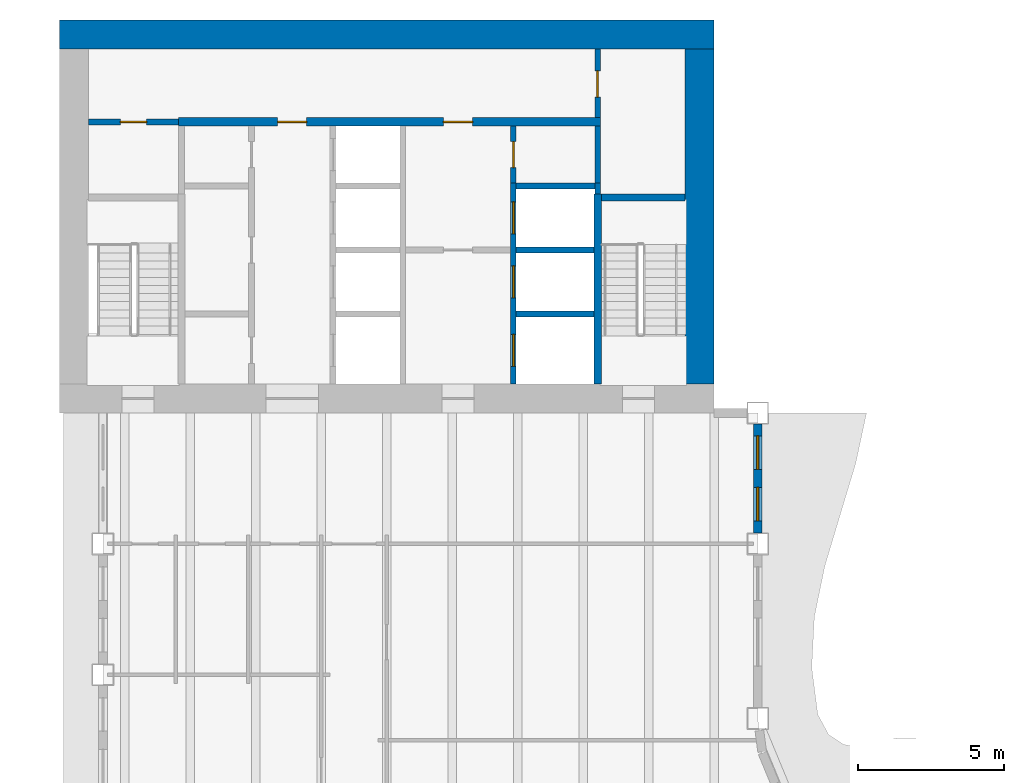
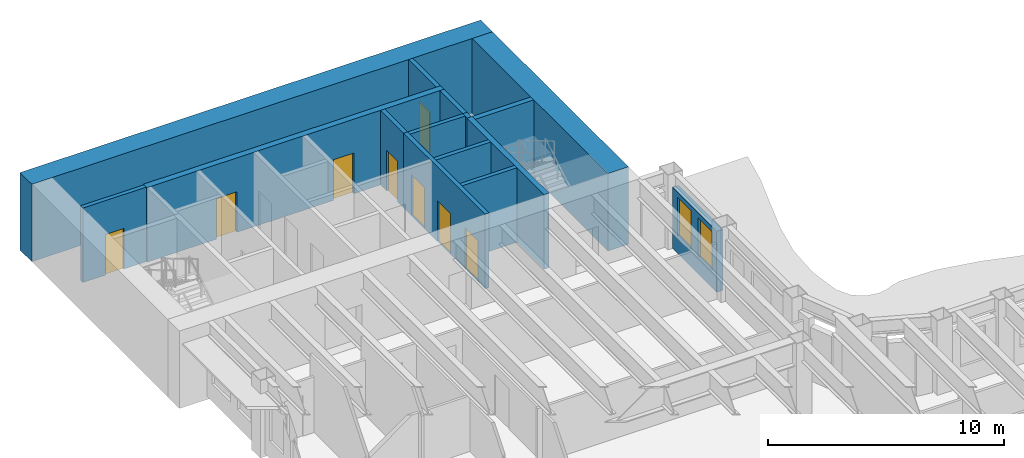
# One storey, part 10 of 17: 15 walls, 8 doors, 2 windows, 10 openings.
"""IFC4 building model written with IfcOpenShell, lengths in metres."""

import ifcopenshell
import ifcopenshell.guid

model = None  # the IFC model being written
_history = None  # IfcOwnerHistory: only IFC2X3 demands one
_inside = {}  # id of a spatial element -> (the spatial element, [elements in it])
_under = {}  # id of a project, library or spatial element -> (it, [spatial elements below it])
_declared = {}  # id of a project -> (the project, [libraries it declares])
_typed = {}  # id of a type object -> (the type object, [elements of that type])
_made_of = {}  # id of a material, layer set ... -> (it, [elements and type objects made of it])


def new_model(schema):
    """Start an empty IFC model of exactly this schema.

    Asked for "IFC4X3", IfcOpenShell would pick the latest addendum, in which some entities
    have other attributes; the version numbers below select the first issue.
    IFC2X3 requires an IfcOwnerHistory on every rooted entity: one is made here for all.
    """
    global model, _history
    if schema == "IFC4X3":
        model = ifcopenshell.file(schema_version=(4, 3, 0, 0))
    else:
        model = ifcopenshell.file(schema=schema)
    _inside.clear()
    _under.clear()
    _declared.clear()
    _typed.clear()
    _made_of.clear()
    _history = None
    if model.schema == "IFC2X3":
        org = make("IfcOrganization", Name="unknown")
        user = make(
            "IfcPersonAndOrganization",
            ThePerson=make("IfcPerson", FamilyName="unknown"),
            TheOrganization=org,
        )
        app = make(
            "IfcApplication",
            ApplicationDeveloper=org,
            Version="unknown",
            ApplicationFullName="unknown",
            ApplicationIdentifier="unknown",
        )
        _history = make(
            "IfcOwnerHistory",
            OwningUser=user,
            OwningApplication=app,
            ChangeAction="ADDED",
            CreationDate=0,
        )
    return model


def make(cls, **values):
    """One entity of the class cls with the attributes given. An attribute that is None is left unset."""
    return model.create_entity(
        cls, **{name: value for name, value in values.items() if value is not None}
    )


def rooted(cls, **values):
    """An entity with a GlobalId (a new one), such as an element, a storey or a relation."""
    return make(cls, GlobalId=ifcopenshell.guid.new(), OwnerHistory=_history, **values)


def si_unit(unit_type, name, prefix=None):
    """IfcSIUnit, for example si_unit("LENGTHUNIT", "METRE", prefix="MILLI")."""
    return make("IfcSIUnit", UnitType=unit_type, Prefix=prefix, Name=name)


def assignment(units):
    """IfcUnitAssignment: the units of a project."""
    return None if units is None else make("IfcUnitAssignment", Units=units)


def point(xyz):
    """IfcCartesianPoint."""
    return None if xyz is None else make("IfcCartesianPoint", Coordinates=xyz)


def direction(xyz):
    """IfcDirection."""
    return None if xyz is None else make("IfcDirection", DirectionRatios=xyz)


def frame(location, z_axis=None, x_axis=None):
    """IfcAxis2Placement3D, a coordinate frame: its origin and axes. An axis left out is left unset."""
    return make(
        "IfcAxis2Placement3D",
        Location=point(location),
        Axis=direction(z_axis),
        RefDirection=direction(x_axis),
    )


def frame_2d(location, x_axis=None):
    """IfcAxis2Placement2D, a coordinate frame in the plane: its origin and x axis."""
    return make(
        "IfcAxis2Placement2D", Location=point(location), RefDirection=direction(x_axis)
    )


def origin():
    """The frame at (0, 0, 0) with its axes left unset."""
    return frame((0.0, 0.0, 0.0))


def place(relative_to, where):
    """IfcLocalPlacement: puts the frame where relative to a parent placement (None: the world)."""
    return make(
        "IfcLocalPlacement", PlacementRelTo=relative_to, RelativePlacement=where
    )


def context(
    kind, dimensions, precision=None, world=None, true_north=None, identifier=None
):
    """IfcGeometricRepresentationContext, for example the 3D "Model" context."""
    return make(
        "IfcGeometricRepresentationContext",
        ContextIdentifier=identifier,
        ContextType=kind,
        CoordinateSpaceDimension=dimensions,
        Precision=precision,
        WorldCoordinateSystem=world,
        TrueNorth=true_north,
    )


def subcontext(parent, identifier, kind, view, scale=None):
    """IfcGeometricRepresentationSubContext, for example "Body" below "Model"."""
    return make(
        "IfcGeometricRepresentationSubContext",
        ContextIdentifier=identifier,
        ContextType=kind,
        ParentContext=parent,
        TargetScale=scale,
        TargetView=view,
    )


def project(units=None, contexts=None):
    """IfcProject with its units and contexts."""
    return rooted(
        "IfcProject",
        Name="project",
        RepresentationContexts=contexts,
        UnitsInContext=assignment(units),
    )


def spatial(cls, under=None, at=None, **own):
    """A site, building, storey or space (cls), placed at a placement, below another one or the project."""
    s = rooted(cls, ObjectPlacement=at, **own)
    if under is not None:
        _under.setdefault(under.id(), (under, []))[1].append(s)
    return s


def profile(cls, at=None, kind="AREA", **sizes):
    """A parametric profile (cls). Its sizes go by their IFC names, for example OverallWidth=200.0."""
    return make(cls, ProfileType=kind, Position=at, **sizes)


def rectangle(**sizes):
    """IfcRectangleProfileDef."""
    return profile("IfcRectangleProfileDef", **sizes)


def extrude(swept, where, along, depth):
    """IfcExtrudedAreaSolid: the profile swept, set in the frame where, extruded along a direction by depth."""
    return make(
        "IfcExtrudedAreaSolid",
        SweptArea=swept,
        Position=where,
        ExtrudedDirection=direction(along),
        Depth=depth,
    )


def shape(context_of_items, identifier, shape_type, items):
    """IfcShapeRepresentation: the items that make up one representation, for example the "Body"."""
    return make(
        "IfcShapeRepresentation",
        ContextOfItems=context_of_items,
        RepresentationIdentifier=identifier,
        RepresentationType=shape_type,
        Items=items,
    )


def material(Name=None, Category=None):
    """IfcMaterial."""
    return make("IfcMaterial", Name=Name, Category=Category)


def layer(
    of_material, thickness, ventilated=None, Name=None, Category=None, Priority=None
):
    """IfcMaterialLayer: one layer of a wall or slab, of a material (None: an air gap)."""
    return make(
        "IfcMaterialLayer",
        Material=of_material,
        LayerThickness=thickness,
        IsVentilated=ventilated,
        Name=Name,
        Category=Category,
        Priority=Priority,
    )


def layer_set(layers, Name=None):
    """IfcMaterialLayerSet."""
    return make("IfcMaterialLayerSet", MaterialLayers=layers, LayerSetName=Name)


def made_of(thing, what):
    """Note that an element or type object is made of a material, layer set ...; save() writes the relation."""
    if what is not None:
        _made_of.setdefault(what.id(), (what, []))[1].append(thing)
    return thing


def type_object(cls, material=None, **own):
    """A type object (cls), such as IfcWallType, which elements share."""
    return made_of(rooted(cls, **own), material)


def element(
    cls,
    number,
    at=None,
    inside=None,
    cuts=None,
    type_object=None,
    material=None,
    context=None,
    identifier="Body",
    shape_type=None,
    held_by="IfcProductDefinitionShape",
    body=None,
    shapes=None,
    **own,
):
    """One element of the class cls, such as IfcWall. Its Tag is "e" and its number.

    at: its placement. inside: the storey or other place that contains it. cuts: it is an
    opening in that element (IfcRelVoidsElement). A single representation is given by context,
    identifier, shape_type and body (its items); several are given by shapes. held_by: the class
    of the entity that holds the representations. save() writes the other relations.
    """
    e = rooted(cls, Tag="e%d" % number, ObjectPlacement=at, **own)
    if body is not None:
        shapes = [shape(context, identifier, shape_type, body)]
    if shapes is not None:
        e.Representation = make(held_by, Representations=shapes)
    if inside is not None:
        _inside.setdefault(inside.id(), (inside, []))[1].append(e)
    if cuts is not None:
        rooted(
            "IfcRelVoidsElement", RelatingBuildingElement=cuts, RelatedOpeningElement=e
        )
    if type_object is not None:
        _typed.setdefault(type_object.id(), (type_object, []))[1].append(e)
    return made_of(e, material)


def fill(opening, filler):
    """IfcRelFillsElement: the door or window that sits in an opening."""
    return rooted(
        "IfcRelFillsElement",
        RelatingOpeningElement=opening,
        RelatedBuildingElement=filler,
    )


def aggregate(whole, parts):
    """IfcRelAggregates: a whole, such as a stair, and the parts it consists of."""
    return rooted("IfcRelAggregates", RelatingObject=whole, RelatedObjects=parts)


def save(model, path):
    """Write the relations noted so far, then the file.

    IfcRelAggregates (storeys below a building ...), IfcRelContainedInSpatialStructure (elements
    in a storey), IfcRelDefinesByType, IfcRelAssociatesMaterial and IfcRelDeclares: one each for
    every whole, place, type object, material and project.
    """
    for whole, parts in _under.values():
        aggregate(whole, parts)
    for where, things in _inside.values():
        rooted(
            "IfcRelContainedInSpatialStructure",
            RelatedElements=things,
            RelatingStructure=where,
        )
    for kind, things in _typed.values():
        rooted("IfcRelDefinesByType", RelatedObjects=things, RelatingType=kind)
    for what, things in _made_of.values():
        rooted("IfcRelAssociatesMaterial", RelatedObjects=things, RelatingMaterial=what)
    for by, libraries in _declared.values():
        rooted("IfcRelDeclares", RelatingContext=by, RelatedDefinitions=libraries)
    model.write(path)


model = new_model("IFC4")

# Units and contexts
model_context = context("Model", 3, precision=1e-05, world=origin(), true_north=direction((0.0, 1.0)))
body_context = subcontext(model_context, "Body", "Model", "MODEL_VIEW")
ifc_project = project(units=[si_unit("LENGTHUNIT", "METRE"), si_unit("AREAUNIT", "SQUARE_METRE"), si_unit("VOLUMEUNIT", "CUBIC_METRE"), si_unit("PLANEANGLEUNIT", "RADIAN"), si_unit("MASSUNIT", "GRAM", prefix="KILO")], contexts=[model_context])

# Site, building, storey
site_placement = place(None, origin())
site = spatial("IfcSite", under=ifc_project, at=site_placement, CompositionType="ELEMENT")
building_placement = place(site_placement, origin())
building = spatial("IfcBuilding", under=site, at=building_placement, Name="Sennacour Bend Tower", CompositionType="ELEMENT")
storey_placement = place(building_placement, frame((0.0, 0.0, 219.0)))
storey = spatial("IfcBuildingStorey", under=building, at=storey_placement, Name="L50", CompositionType="ELEMENT", Elevation=219.0)

# Walls
ifc_material_1 = material(Name="Concrete C60/75", Category="concrete")
ifc_layer_1 = layer(ifc_material_1, 1.0, Name="Concrete C60/75", Category="concrete")
ifc_layer_set_1 = layer_set([ifc_layer_1], Name="Concrete C60/75")
wall_type_1 = type_object("IfcWallType", Name="Core wall 1000 C60/75", PredefinedType="SHEAR", material=ifc_layer_set_1)
wall_1_placement = place(storey_placement, frame((0.0, 49.0, -0.14990234375), z_axis=(0.0, 0.0, 1.0), x_axis=(1.0, 0.0, 0.0)))
element("IfcWall", 1, at=wall_1_placement, inside=storey, type_object=wall_type_1, Name="Core B wall L50 N", PredefinedType="SHEAR", context=body_context, shape_type="SweptSolid", body=[
    extrude(rectangle(XDim=22.5, YDim=1.0, at=frame_2d((11.25, 0.0))), origin(), (0.0, 0.0, 1.0), 4.0),
])
wall_2_placement = place(storey_placement, frame((22.0, 37.0, -0.14990234375), z_axis=(0.0, 0.0, 1.0), x_axis=(0.0, 1.0, 0.0)))
element("IfcWall", 2, at=wall_2_placement, inside=storey, type_object=wall_type_1, Name="Core B wall L50 E", PredefinedType="SHEAR", context=body_context, shape_type="SweptSolid", body=[
    extrude(rectangle(XDim=11.5, YDim=1.0, at=frame_2d((5.75, 0.0))), origin(), (0.0, 0.0, 1.0), 4.0),
])

# Wall, opening, door
ifc_material_2 = material(Name="Fire-rated plasterboard partition on steel studs", Category="steel")
ifc_layer_2 = layer(ifc_material_2, 0.199951171875, Name="Fire-rated plasterboard partition on steel studs", Category="steel")
ifc_layer_set_2 = layer_set([ifc_layer_2], Name="Fire-rated plasterboard partition on steel studs")
wall_type_2 = type_object("IfcWallType", Name="Rated partition 200", PredefinedType="PARTITIONING", material=ifc_layer_set_2)
wall_3_placement = place(storey_placement, frame((15.60009765625, 43.89990234375, 0.0), z_axis=(0.0, 0.0, 1.0), x_axis=(0.0, 1.0, 0.0)))
wall_3 = element("IfcWall", 3, at=wall_3_placement, inside=storey, type_object=wall_type_2, Name="P-L50-W016", PredefinedType="PARTITIONING", context=body_context, shape_type="SweptSolid", body=[
    extrude(rectangle(XDim=1.9501953125, YDim=0.199951171875, at=frame_2d((0.97509765625, 0.0))), origin(), (0.0, 0.0, 1.0), 3.85009765625),
])
opening_1_placement = place(wall_3_placement, frame((0.525146484375, 0.0, 0.0)))
opening_1 = element("IfcOpeningElement", 4, at=opening_1_placement, cuts=wall_3, Name="Opening SV", PredefinedType="OPENING", context=body_context, shape_type="SweptSolid", body=[
    extrude(rectangle(XDim=0.89990234375, YDim=2.10009765625, at=frame_2d((0.449951171875, 1.050048828125))), frame((0.0, 0.10986328125, 0.0), z_axis=(0.0, -1.0, 0.0), x_axis=(1.0, 0.0, 0.0)), (0.0, 0.0, 1.0), 0.219970703125),
])
ifc_material_3 = material(Name="Painted steel", Category="steel")
door_type_1 = type_object("IfcDoorType", Name="DR-SERVICE-900", OperationType="NOTDEFINED", PredefinedType="DOOR", material=ifc_material_3)
door_1_placement = place(opening_1_placement, origin())
door_1 = element("IfcDoor", 5, at=door_1_placement, inside=storey, type_object=door_type_1, Name="Door", OperationType="SINGLE_SWING_RIGHT", OverallHeight=2.10009765625, OverallWidth=0.89990234375, PredefinedType="DOOR", context=body_context, shape_type="SweptSolid", body=[
    extrude(rectangle(XDim=0.89990234375, YDim=2.10009765625, at=frame_2d((0.449951171875, 1.050048828125))), frame((0.0, 0.02490234375, 0.0), z_axis=(0.0, -1.0, 0.0), x_axis=(1.0, 0.0, 0.0)), (0.0, 0.0, 1.0), 0.050048828125),
])
fill(opening_1, door_1)

# Wall
wall_4_placement = place(storey_placement, frame((18.5, 43.89990234375, 0.0), z_axis=(0.0, 0.0, 1.0), x_axis=(0.0, 1.0, 0.0)))
element("IfcWall", 6, at=wall_4_placement, inside=storey, type_object=wall_type_2, Name="P-L50-W020a", PredefinedType="PARTITIONING", context=body_context, shape_type="SweptSolid", body=[
    extrude(rectangle(XDim=1.9501953125, YDim=0.199951171875, at=frame_2d((0.97509765625, 0.0))), origin(), (0.0, 0.0, 1.0), 3.85009765625),
])

# Wall, opening, door
wall_5_placement = place(storey_placement, frame((18.5, 46.14990234375, 0.0), z_axis=(0.0, 0.0, 1.0), x_axis=(0.0, 1.0, 0.0)))
wall_5 = element("IfcWall", 7, at=wall_5_placement, inside=storey, type_object=wall_type_2, Name="P-L50-W020b", PredefinedType="PARTITIONING", context=body_context, shape_type="SweptSolid", body=[
    extrude(rectangle(XDim=2.35009765625, YDim=0.199951171875, at=frame_2d((1.175048828125, 0.0))), origin(), (0.0, 0.0, 1.0), 3.85009765625),
])
opening_2_placement = place(wall_5_placement, frame((0.7001953125, 0.0, 0.0)))
opening_2 = element("IfcOpeningElement", 8, at=opening_2_placement, cuts=wall_5, Name="Opening SV", PredefinedType="OPENING", context=body_context, shape_type="SweptSolid", body=[
    extrude(rectangle(XDim=0.89990234375, YDim=2.10009765625, at=frame_2d((0.449951171875, 1.050048828125))), frame((0.0, 0.10986328125, 0.0), z_axis=(0.0, -1.0, 0.0), x_axis=(1.0, 0.0, 0.0)), (0.0, 0.0, 1.0), 0.219970703125),
])
door_2_placement = place(opening_2_placement, origin())
door_2 = element("IfcDoor", 9, at=door_2_placement, inside=storey, type_object=door_type_1, Name="Door", OperationType="SINGLE_SWING_LEFT", OverallHeight=2.10009765625, OverallWidth=0.89990234375, PredefinedType="DOOR", context=body_context, shape_type="SweptSolid", body=[
    extrude(rectangle(XDim=0.89990234375, YDim=2.10009765625, at=frame_2d((0.449951171875, 1.050048828125))), frame((0.0, 0.02490234375, 0.0), z_axis=(0.0, -1.0, 0.0), x_axis=(1.0, 0.0, 0.0)), (0.0, 0.0, 1.0), 0.050048828125),
])
fill(opening_2, door_2)

wall_6_placement = place(storey_placement, frame((1.0, 46.0, 0.0), z_axis=(0.0, 0.0, 1.0), x_axis=(1.0, 0.0, 0.0)))
wall_6 = element("IfcWall", 10, at=wall_6_placement, inside=storey, type_object=wall_type_2, Name="P-L50-W090", PredefinedType="PARTITIONING", context=body_context, shape_type="SweptSolid", body=[
    extrude(rectangle(XDim=3.10009765625, YDim=0.199951171875, at=frame_2d((1.550048828125, 0.0))), origin(), (0.0, 0.0, 1.0), 3.85009765625),
])
opening_3_placement = place(wall_6_placement, frame((1.10009765625, 0.0, 0.0)))
opening_3 = element("IfcOpeningElement", 11, at=opening_3_placement, cuts=wall_6, Name="Opening SV", PredefinedType="OPENING", context=body_context, shape_type="SweptSolid", body=[
    extrude(rectangle(XDim=0.89990234375, YDim=2.10009765625, at=frame_2d((0.449951171875, 1.050048828125))), frame((0.0, 0.10986328125, 0.0), z_axis=(0.0, -1.0, 0.0), x_axis=(1.0, 0.0, 0.0)), (0.0, 0.0, 1.0), 0.219970703125),
])
door_3_placement = place(opening_3_placement, origin())
door_3 = element("IfcDoor", 12, at=door_3_placement, inside=storey, type_object=door_type_1, Name="Door", OperationType="SINGLE_SWING_LEFT", OverallHeight=2.10009765625, OverallWidth=0.89990234375, PredefinedType="DOOR", context=body_context, shape_type="SweptSolid", body=[
    extrude(rectangle(XDim=0.89990234375, YDim=2.10009765625, at=frame_2d((0.449951171875, 1.050048828125))), frame((0.0, 0.02490234375, 0.0), z_axis=(0.0, -1.0, 0.0), x_axis=(1.0, 0.0, 0.0)), (0.0, 0.0, 1.0), 0.050048828125),
])
fill(opening_3, door_3)

# Wall, openings, windows
ifc_material_4 = material(Name="Warm limestone cladding", Category="masonry")
ifc_layer_3 = layer(ifc_material_4, 0.050048828125, Name="Warm limestone cladding", Category="masonry")
ifc_material_5 = material(Name="Precast concrete C40/50", Category="concrete")
ifc_layer_4 = layer(ifc_material_5, 0.25, Name="Precast concrete C40/50", Category="concrete")
ifc_layer_set_3 = layer_set([ifc_layer_3, ifc_layer_4], Name="Precast concrete C40/50 with limestone cladding")
wall_type_3 = type_object("IfcWallType", Name="STONE-CLAD PRECAST SPANDREL 300", PredefinedType="STANDARD", material=ifc_layer_set_3)
wall_7_placement = place(storey_placement, frame((24.0, 31.875, 0.0), z_axis=(0.0, 0.0, 1.0), x_axis=(0.0, 1.0, 0.0)))
wall_7 = element("IfcWall", 13, at=wall_7_placement, inside=storey, type_object=wall_type_3, Name="Stone spandrel and pier wall L50 13.01", PredefinedType="STANDARD", context=body_context, shape_type="SweptSolid", body=[
    extrude(rectangle(XDim=3.75, YDim=0.300048828125, at=frame_2d((1.875, 0.0))), origin(), (0.0, 0.0, 1.0), 3.156982421875),
])
opening_4_placement = place(wall_7_placement, frame((0.41259765625, 0.0, 0.89990234375)))
opening_4 = element("IfcOpeningElement", 14, at=opening_4_placement, cuts=wall_7, Name="Opening W24", PredefinedType="OPENING", context=body_context, shape_type="SweptSolid", body=[
    extrude(rectangle(XDim=1.14990234375, YDim=2.0, at=frame_2d((0.574951171875, 1.0))), frame((0.0, 0.16015625, 0.0), z_axis=(0.0, -1.0, 0.0), x_axis=(1.0, 0.0, 0.0)), (0.0, 0.0, 1.0), 0.320068359375),
])
opening_5_placement = place(wall_7_placement, frame((2.1875, 0.0, 0.89990234375)))
opening_5 = element("IfcOpeningElement", 15, at=opening_5_placement, cuts=wall_7, Name="Opening W24", PredefinedType="OPENING", context=body_context, shape_type="SweptSolid", body=[
    extrude(rectangle(XDim=1.14990234375, YDim=2.0, at=frame_2d((0.574951171875, 1.0))), frame((0.0, 0.16015625, 0.0), z_axis=(0.0, -1.0, 0.0), x_axis=(1.0, 0.0, 0.0)), (0.0, 0.0, 1.0), 0.320068359375),
])
ifc_material_6 = material(Name="Clear low-emissivity glass", Category="glass")
window_type = type_object("IfcWindowType", Name="WIN-RIBBON-1150x2000", PartitioningType="SINGLE_PANEL", PredefinedType="WINDOW", material=ifc_material_6)
window_1_placement = place(opening_4_placement, origin())
window_1 = element("IfcWindow", 16, at=window_1_placement, inside=storey, type_object=window_type, Name="Ribbon window L50 13.01.0", OverallHeight=2.0, OverallWidth=1.14990234375, PartitioningType="SINGLE_PANEL", PredefinedType="WINDOW", context=body_context, shape_type="SweptSolid", body=[
    extrude(rectangle(XDim=1.14990234375, YDim=2.0, at=frame_2d((0.574951171875, 1.0))), frame((0.0, 0.030029296875, 0.0), z_axis=(0.0, -1.0, 0.0), x_axis=(1.0, 0.0, 0.0)), (0.0, 0.0, 1.0), 0.06005859375),
])
fill(opening_4, window_1)
window_2_placement = place(opening_5_placement, origin())
window_2 = element("IfcWindow", 17, at=window_2_placement, inside=storey, type_object=window_type, Name="Ribbon window L50 13.01.1", OverallHeight=2.0, OverallWidth=1.14990234375, PartitioningType="SINGLE_PANEL", PredefinedType="WINDOW", context=body_context, shape_type="SweptSolid", body=[
    extrude(rectangle(XDim=1.14990234375, YDim=2.0, at=frame_2d((0.574951171875, 1.0))), frame((0.0, 0.030029296875, 0.0), z_axis=(0.0, -1.0, 0.0), x_axis=(1.0, 0.0, 0.0)), (0.0, 0.0, 1.0), 0.06005859375),
])
fill(opening_5, window_2)

# Wall, openings, doors
ifc_material_7 = material(Name="Concrete C50/60", Category="concrete")
ifc_layer_5 = layer(ifc_material_7, 0.199951171875, Name="Concrete C50/60", Category="concrete")
ifc_layer_set_4 = layer_set([ifc_layer_5], Name="Concrete C50/60")
wall_type_4 = type_object("IfcWallType", Name="Shaft wall 200", PredefinedType="SOLIDWALL", material=ifc_layer_set_4)
wall_8_placement = place(storey_placement, frame((15.60009765625, 37.0, 0.0), z_axis=(0.0, 0.0, 1.0), x_axis=(0.0, 1.0, 0.0)))
wall_8 = element("IfcWall", 18, at=wall_8_placement, inside=storey, type_object=wall_type_4, Name="P-L50-W015", PredefinedType="SOLIDWALL", context=body_context, shape_type="SweptSolid", body=[
    extrude(rectangle(XDim=6.89990234375, YDim=0.199951171875, at=frame_2d((3.449951171875, 0.0))), origin(), (0.0, 0.0, 1.0), 3.85009765625),
])
opening_6_placement = place(wall_8_placement, frame((0.60009765625, 0.0, 0.011962890625)))
opening_6 = element("IfcOpeningElement", 19, at=opening_6_placement, cuts=wall_8, Name="Opening FLD", PredefinedType="OPENING", context=body_context, shape_type="SweptSolid", body=[
    extrude(rectangle(XDim=1.10009765625, YDim=2.10009765625, at=frame_2d((0.550048828125, 1.050048828125))), frame((0.0, 0.10986328125, 0.0), z_axis=(0.0, -1.0, 0.0), x_axis=(1.0, 0.0, 0.0)), (0.0, 0.0, 1.0), 0.219970703125),
])
opening_7_placement = place(wall_8_placement, frame((2.949951171875, 0.0, 0.011962890625)))
opening_7 = element("IfcOpeningElement", 20, at=opening_7_placement, cuts=wall_8, Name="Opening FLD", PredefinedType="OPENING", context=body_context, shape_type="SweptSolid", body=[
    extrude(rectangle(XDim=1.10009765625, YDim=2.10009765625, at=frame_2d((0.550048828125, 1.050048828125))), frame((0.0, 0.10986328125, 0.0), z_axis=(0.0, -1.0, 0.0), x_axis=(1.0, 0.0, 0.0)), (0.0, 0.0, 1.0), 0.219970703125),
])
opening_8_placement = place(wall_8_placement, frame((5.14990234375, 0.0, 0.011962890625)))
opening_8 = element("IfcOpeningElement", 21, at=opening_8_placement, cuts=wall_8, Name="Opening LD", PredefinedType="OPENING", context=body_context, shape_type="SweptSolid", body=[
    extrude(rectangle(XDim=1.10009765625, YDim=2.10009765625, at=frame_2d((0.550048828125, 1.050048828125))), frame((0.0, 0.10986328125, 0.0), z_axis=(0.0, -1.0, 0.0), x_axis=(1.0, 0.0, 0.0)), (0.0, 0.0, 1.0), 0.219970703125),
])
ifc_material_8 = material(Name="Stainless steel", Category="steel")
door_type_2 = type_object("IfcDoorType", Name="DR-FF-LANDING-1100", OperationType="NOTDEFINED", PredefinedType="DOOR", material=ifc_material_8)
door_4_placement = place(opening_6_placement, origin())
door_4 = element("IfcDoor", 22, at=door_4_placement, inside=storey, type_object=door_type_2, Name="Fire service lift landing door FB1", OperationType="SLIDING_TO_LEFT", OverallHeight=2.10009765625, OverallWidth=1.10009765625, PredefinedType="DOOR", context=body_context, shape_type="SweptSolid", body=[
    extrude(rectangle(XDim=1.10009765625, YDim=2.10009765625, at=frame_2d((0.550048828125, 1.050048828125))), frame((0.0, 0.02490234375, 0.0), z_axis=(0.0, -1.0, 0.0), x_axis=(1.0, 0.0, 0.0)), (0.0, 0.0, 1.0), 0.050048828125),
])
fill(opening_6, door_4)
door_5_placement = place(opening_7_placement, origin())
door_5 = element("IfcDoor", 23, at=door_5_placement, inside=storey, type_object=door_type_2, Name="Fire service lift landing door FB2", OperationType="SLIDING_TO_RIGHT", OverallHeight=2.10009765625, OverallWidth=1.10009765625, PredefinedType="DOOR", context=body_context, shape_type="SweptSolid", body=[
    extrude(rectangle(XDim=1.10009765625, YDim=2.10009765625, at=frame_2d((0.550048828125, 1.050048828125))), frame((0.0, 0.02490234375, 0.0), z_axis=(0.0, -1.0, 0.0), x_axis=(1.0, 0.0, 0.0)), (0.0, 0.0, 1.0), 0.050048828125),
])
fill(opening_7, door_5)
door_type_3 = type_object("IfcDoorType", Name="DR-LANDING-1100", OperationType="NOTDEFINED", PredefinedType="DOOR", material=ifc_material_8)
door_6_placement = place(opening_8_placement, origin())
door_6 = element("IfcDoor", 24, at=door_6_placement, inside=storey, type_object=door_type_3, Name="Lift landing door MB5", OperationType="SLIDING_TO_LEFT", OverallHeight=2.10009765625, OverallWidth=1.10009765625, PredefinedType="DOOR", context=body_context, shape_type="SweptSolid", body=[
    extrude(rectangle(XDim=1.10009765625, YDim=2.10009765625, at=frame_2d((0.550048828125, 1.050048828125))), frame((0.0, 0.02490234375, 0.0), z_axis=(0.0, -1.0, 0.0), x_axis=(1.0, 0.0, 0.0)), (0.0, 0.0, 1.0), 0.050048828125),
])
fill(opening_8, door_6)

# Walls
wall_9_placement = place(storey_placement, frame((18.5, 43.52490234375, 0.0), z_axis=(0.0, 0.0, 1.0), x_axis=(0.0, 1.0, 0.0)))
element("IfcWall", 25, at=wall_9_placement, inside=storey, type_object=wall_type_4, Name="P-L50-W019", PredefinedType="SOLIDWALL", context=body_context, shape_type="SweptSolid", body=[
    extrude(rectangle(XDim=0.375, YDim=0.199951171875, at=frame_2d((0.1875, 0.0))), origin(), (0.0, 0.0, 1.0), 3.85009765625),
])
for number, where, z_axis, x_axis, name in (
    (26, (15.699951171875, 39.39990234375, 0.0), (0.0, 0.0, 1.0), (1.0, 0.0, 0.0), "P-L50-W081"),
    (27, (15.699951171875, 41.60009765625, 0.0), (0.0, 0.0, 1.0), (1.0, 0.0, 0.0), "P-L50-W084"),
):
    element("IfcWall", number, at=place(storey_placement, frame(where, z_axis=z_axis, x_axis=x_axis)), inside=storey, type_object=wall_type_4, Name=name, PredefinedType="SOLIDWALL", context=body_context, shape_type="SweptSolid", body=[
        extrude(rectangle(XDim=2.675048828125, YDim=0.199951171875, at=frame_2d((1.33740234375, 0.0))), origin(), (0.0, 0.0, 1.0), 3.85009765625),
    ])
wall_10_placement = place(storey_placement, frame((15.699951171875, 43.800048828125, 0.0), z_axis=(0.0, 0.0, 1.0), x_axis=(1.0, 0.0, 0.0)))
element("IfcWall", 28, at=wall_10_placement, inside=storey, type_object=wall_type_4, Name="P-L50-W089", PredefinedType="SOLIDWALL", context=body_context, shape_type="SweptSolid", body=[
    extrude(rectangle(XDim=2.699951171875, YDim=0.199951171875, at=frame_2d((1.35009765625, 0.0))), origin(), (0.0, 0.0, 1.0), 3.85009765625),
])

# Wall, openings, doors
ifc_layer_6 = layer(ifc_material_1, 0.300048828125, Name="Concrete C60/75", Category="concrete")
ifc_layer_set_5 = layer_set([ifc_layer_6], Name="Concrete C60/75")
wall_type_5 = type_object("IfcWallType", Name="Spine wall 300", PredefinedType="SHEAR", material=ifc_layer_set_5)
wall_11_placement = place(storey_placement, frame((4.10009765625, 46.0, 0.0), z_axis=(0.0, 0.0, 1.0), x_axis=(1.0, 0.0, 0.0)))
wall_11 = element("IfcWall", 29, at=wall_11_placement, inside=storey, type_object=wall_type_5, Name="P-L50-W091", PredefinedType="SHEAR", context=body_context, shape_type="SweptSolid", body=[
    extrude(rectangle(XDim=14.5, YDim=0.300048828125, at=frame_2d((7.25, 0.0))), origin(), (0.0, 0.0, 1.0), 3.85009765625),
])
opening_9_placement = place(wall_11_placement, frame((3.39990234375, 0.0, 0.0)))
opening_9 = element("IfcOpeningElement", 30, at=opening_9_placement, cuts=wall_11, Name="Opening CD2", PredefinedType="OPENING", context=body_context, shape_type="SweptSolid", body=[
    extrude(rectangle(XDim=1.0, YDim=2.10009765625, at=frame_2d((0.5, 1.050048828125))), frame((0.0, 0.16015625, 0.0), z_axis=(0.0, -1.0, 0.0), x_axis=(1.0, 0.0, 0.0)), (0.0, 0.0, 1.0), 0.320068359375),
])
opening_10_placement = place(wall_11_placement, frame((9.099853515625, 0.0, 0.0)))
opening_10 = element("IfcOpeningElement", 31, at=opening_10_placement, cuts=wall_11, Name="Opening CD2", PredefinedType="OPENING", context=body_context, shape_type="SweptSolid", body=[
    extrude(rectangle(XDim=1.0, YDim=2.10009765625, at=frame_2d((0.5, 1.050048828125))), frame((0.0, 0.16015625, 0.0), z_axis=(0.0, -1.0, 0.0), x_axis=(1.0, 0.0, 0.0)), (0.0, 0.0, 1.0), 0.320068359375),
])
door_type_4 = type_object("IfcDoorType", Name="DR-LOBBY-1000", OperationType="NOTDEFINED", PredefinedType="DOOR", material=ifc_material_3)
door_7_placement = place(opening_9_placement, origin())
door_7 = element("IfcDoor", 32, at=door_7_placement, inside=storey, type_object=door_type_4, Name="Door", OperationType="SINGLE_SWING_LEFT", OverallHeight=2.10009765625, OverallWidth=1.0, PredefinedType="DOOR", context=body_context, shape_type="SweptSolid", body=[
    extrude(rectangle(XDim=1.0, YDim=2.10009765625, at=frame_2d((0.5, 1.050048828125))), frame((0.0, 0.02490234375, 0.0), z_axis=(0.0, -1.0, 0.0), x_axis=(1.0, 0.0, 0.0)), (0.0, 0.0, 1.0), 0.050048828125),
])
fill(opening_9, door_7)
door_8_placement = place(opening_10_placement, origin())
door_8 = element("IfcDoor", 33, at=door_8_placement, inside=storey, type_object=door_type_4, Name="Door", OperationType="SINGLE_SWING_RIGHT", OverallHeight=2.10009765625, OverallWidth=1.0, PredefinedType="DOOR", context=body_context, shape_type="SweptSolid", body=[
    extrude(rectangle(XDim=1.0, YDim=2.10009765625, at=frame_2d((0.5, 1.050048828125))), frame((0.0, 0.02490234375, 0.0), z_axis=(0.0, -1.0, 0.0), x_axis=(1.0, 0.0, 0.0)), (0.0, 0.0, 1.0), 0.050048828125),
])
fill(opening_10, door_8)

# Walls
ifc_layer_7 = layer(ifc_material_1, 0.25, Name="Concrete C60/75", Category="concrete")
ifc_layer_set_6 = layer_set([ifc_layer_7], Name="Concrete C60/75")
wall_type_6 = type_object("IfcWallType", Name="Stair wall 250", PredefinedType="SHEAR", material=ifc_layer_set_6)
wall_12_placement = place(storey_placement, frame((18.5, 37.0, 0.0), z_axis=(0.0, 0.0, 1.0), x_axis=(0.0, 1.0, 0.0)))
element("IfcWall", 34, at=wall_12_placement, inside=storey, type_object=wall_type_6, Name="P-L50-W018", PredefinedType="SHEAR", context=body_context, shape_type="SweptSolid", body=[
    extrude(rectangle(XDim=6.52490234375, YDim=0.25, at=frame_2d((3.262451171875, 0.0))), origin(), (0.0, 0.0, 1.0), 3.85009765625),
])
wall_13_placement = place(storey_placement, frame((18.625, 43.39990234375, 0.0), z_axis=(0.0, 0.0, 1.0), x_axis=(1.0, 0.0, 0.0)))
element("IfcWall", 35, at=wall_13_placement, inside=storey, type_object=wall_type_6, Name="P-L50-W086", PredefinedType="SHEAR", context=body_context, shape_type="SweptSolid", body=[
    extrude(rectangle(XDim=2.875, YDim=0.25, at=frame_2d((1.4375, 0.0))), origin(), (0.0, 0.0, 1.0), 3.85009765625),
])

save(model, "model.ifc")
